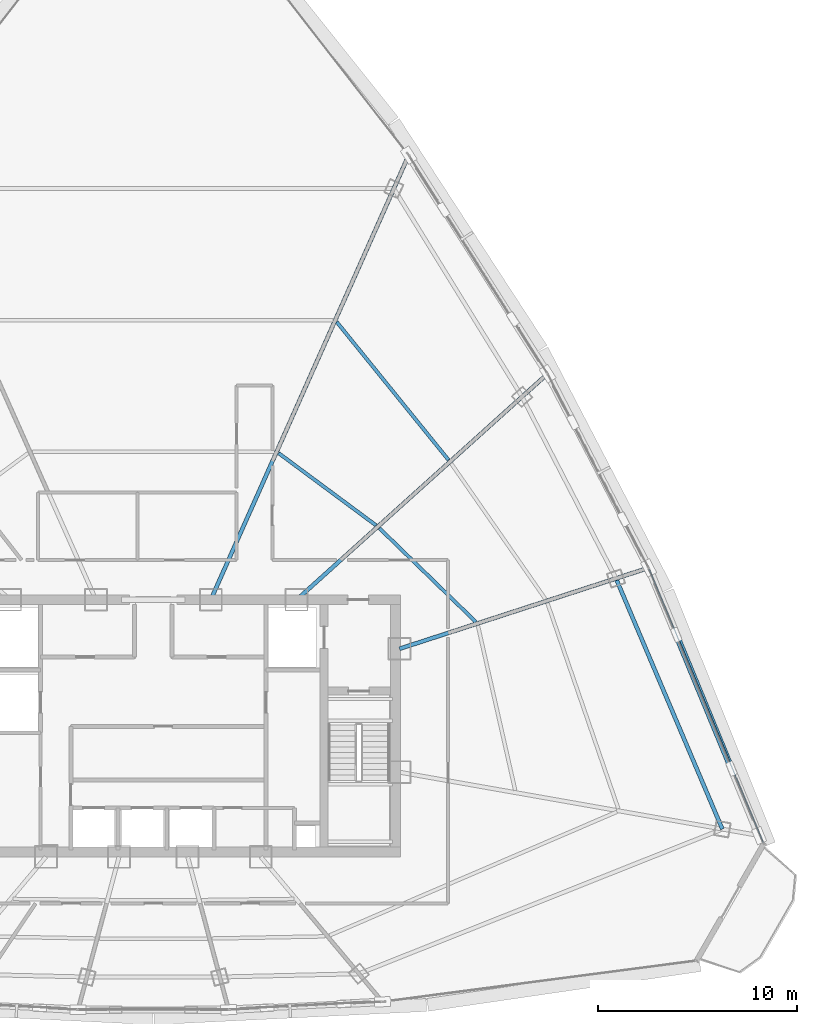
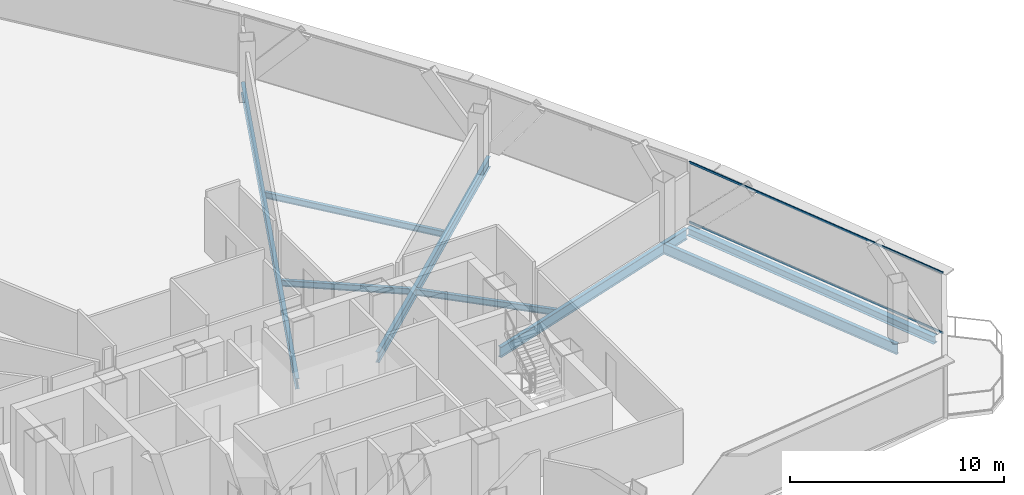
# One storey, part 16 of 35: 8 beams, 2 members, 1 element without a shape of its own.
"""IFC4 building model written with IfcOpenShell, lengths in metres."""

from ifc_helpers import new_model, si_unit, direction, frame, origin, origin_2d, place, context, subcontext, project, spatial, hollow_rectangle, i_section, extrude, source, transform, mapped, material, layer, layer_set, material_profile, profile_set, type_object, element, aggregate, save


model = new_model("IFC4")

# Units and contexts
model_context = context("Model", 3, precision=1e-05, world=origin(), true_north=direction((0.0, 1.0)))
body_context = subcontext(model_context, "Body", "Model", "MODEL_VIEW")
ifc_project = project(units=[si_unit("LENGTHUNIT", "METRE"), si_unit("AREAUNIT", "SQUARE_METRE"), si_unit("VOLUMEUNIT", "CUBIC_METRE"), si_unit("PLANEANGLEUNIT", "RADIAN"), si_unit("MASSUNIT", "GRAM", prefix="KILO"), si_unit("THERMODYNAMICTEMPERATUREUNIT", "KELVIN"), si_unit("POWERUNIT", "WATT")], contexts=[model_context])

# Site, building, storey
site_placement = place(None, origin())
site = spatial("IfcSite", under=ifc_project, at=site_placement, CompositionType="ELEMENT")
building_placement = place(site_placement, origin())
building = spatial("IfcBuilding", under=site, at=building_placement, Name="Yunzhuo Pagoda Commons", CompositionType="ELEMENT")
storey_placement = place(building_placement, frame((0.0, 0.0, 303.669921875)))
storey = spatial("IfcBuildingStorey", under=building, at=storey_placement, Name="L76", CompositionType="ELEMENT", Elevation=303.669921875)

# Beams
ifc_material_1 = material(Name="Structural steel Q355B", Category="steel")
ifc_material_profile_1 = material_profile(ifc_material_1, i_section(OverallWidth=0.199951171875, OverallDepth=0.60009765625, WebThickness=0.010986328125, FlangeThickness=0.01708984375, at=origin_2d()), Name="Structural steel Q355B")
ifc_profile_set_1 = profile_set([ifc_material_profile_1], Name="Structural steel Q355B")
beam_type_1 = type_object("IfcBeamType", Name="B-RG3 Beam HN 600x200x11x17", PredefinedType="BEAM", material=ifc_profile_set_1)
shared_shape_1 = source(origin(), body_context, "Body", "SweptSolid", [
    extrude(i_section(OverallWidth=0.199951171875, OverallDepth=0.60009765625, WebThickness=0.010986328125, FlangeThickness=0.01708984375, at=origin_2d()), origin(), (0.0, 0.0, 1.0), 13.715576171875),
])
beam_1_placement = place(storey_placement, frame((76.66162109375, 28.646240234375, -0.559814453125), z_axis=(-0.390733146992, 0.920503996646, 0.0), x_axis=(-0.920503996646, -0.390733146992, 0.0)))
element("IfcBeam", 1, at=beam_1_placement, inside=storey, type_object=beam_type_1, Name="L76 column-ring beam 5", PredefinedType="BEAM", context=body_context, shape_type="MappedRepresentation", body=[
    mapped(shared_shape_1, transform((0.0, 0.0, 0.0), scale=1.0)),
])
ifc_material_profile_2 = material_profile(ifc_material_1, i_section(OverallWidth=0.175048828125, OverallDepth=0.35009765625, WebThickness=0.007080078125, FlangeThickness=0.010986328125, at=origin_2d()), Name="Structural steel Q355B")
ifc_profile_set_2 = profile_set([ifc_material_profile_2], Name="Structural steel Q355B")
beam_type_2 = type_object("IfcBeamType", Name="B-JS2 Joist HN 350x175x7x11", PredefinedType="JOIST", material=ifc_profile_set_2)
shared_shape_2 = source(origin(), body_context, "Body", "SweptSolid", [
    extrude(i_section(OverallWidth=0.175048828125, OverallDepth=0.35009765625, WebThickness=0.007080078125, FlangeThickness=0.010986328125, at=origin_2d()), origin(), (0.0, 0.0, 1.0), 6.767333984375),
])
beam_2_placement = place(storey_placement, frame((64.242431640625, 39.08447265625, -0.434814453125), z_axis=(-0.717207253673, 0.696859925149, 0.0), x_axis=(-0.696859925149, -0.717207253673, 0.0)))
element("IfcBeam", 2, at=beam_2_placement, inside=storey, type_object=beam_type_2, Name="L76 composite ring joist 1.6", PredefinedType="JOIST", context=body_context, shape_type="MappedRepresentation", body=[
    mapped(shared_shape_2, transform((0.0, 0.0, 0.0), scale=1.0)),
])
shared_shape_3 = source(origin(), body_context, "Body", "SweptSolid", [
    extrude(i_section(OverallWidth=0.175048828125, OverallDepth=0.35009765625, WebThickness=0.007080078125, FlangeThickness=0.010986328125, at=origin_2d()), origin(), (0.0, 0.0, 1.0), 6.109619140625),
])
beam_3_placement = place(storey_placement, frame((59.214111328125, 43.948974609375, -0.434814453125), z_axis=(-0.803396474468, 0.595444459888, 0.0), x_axis=(-0.595444459888, -0.803396474468, 0.0)))
element("IfcBeam", 3, at=beam_3_placement, inside=storey, type_object=beam_type_2, Name="L76 composite ring joist 1.7", PredefinedType="JOIST", context=body_context, shape_type="MappedRepresentation", body=[
    mapped(shared_shape_3, transform((0.0, 0.0, 0.0), scale=1.0)),
])
shared_shape_4 = source(origin(), body_context, "Body", "SweptSolid", [
    extrude(i_section(OverallWidth=0.175048828125, OverallDepth=0.35009765625, WebThickness=0.007080078125, FlangeThickness=0.010986328125, at=origin_2d()), origin(), (0.0, 0.0, 1.0), 8.9462890625),
])
beam_4_placement = place(storey_placement, frame((62.867431640625, 47.2412109375, -0.434814453125), z_axis=(-0.629455685791, 0.777036382434, 0.0), x_axis=(-0.777036382434, -0.629455685791, 0.0)))
element("IfcBeam", 4, at=beam_4_placement, inside=storey, type_object=beam_type_2, Name="L76 composite ring joist 2.7", PredefinedType="JOIST", context=body_context, shape_type="MappedRepresentation", body=[
    mapped(shared_shape_4, transform((0.0, 0.0, 0.0), scale=1.0)),
])
shared_shape_5 = source(origin(), body_context, "Body", "SweptSolid", [
    extrude(i_section(OverallWidth=0.199951171875, OverallDepth=0.60009765625, WebThickness=0.010986328125, FlangeThickness=0.01708984375, at=origin_2d()), origin(), (0.0, 0.0, 1.0), 13.040771484375),
])
beam_5_placement = place(storey_placement, frame((72.802490234375, 41.7587890625, -0.559814453125), z_axis=(-0.951057866972, -0.30901283739, 0.0), x_axis=(0.30901283739, -0.951057866972, 0.0)))
element("IfcBeam", 5, at=beam_5_placement, inside=storey, type_object=beam_type_1, Name="L76 radial floor girder F2C2", PredefinedType="BEAM", context=body_context, shape_type="MappedRepresentation", body=[
    mapped(shared_shape_5, transform((0.0, 0.0, 0.0), scale=1.0)),
])
shared_shape_6 = source(origin(), body_context, "Body", "SweptSolid", [
    extrude(i_section(OverallWidth=0.199951171875, OverallDepth=0.60009765625, WebThickness=0.010986328125, FlangeThickness=0.01708984375, at=origin_2d()), origin(), (0.0, 0.0, 1.0), 16.859619140625),
])
beam_6_placement = place(storey_placement, frame((67.748046875, 51.481201171875, -0.559814453125), z_axis=(-0.743143638424, -0.669131924712, 0.0), x_axis=(0.669131924712, -0.743143638424, 0.0)))
element("IfcBeam", 6, at=beam_6_placement, inside=storey, type_object=beam_type_1, Name="L76 radial floor girder F2C3", PredefinedType="BEAM", context=body_context, shape_type="MappedRepresentation", body=[
    mapped(shared_shape_6, transform((0.0, 0.0, 0.0), scale=1.0)),
])
shared_shape_7 = source(origin(), body_context, "Body", "SweptSolid", [
    extrude(i_section(OverallWidth=0.199951171875, OverallDepth=0.60009765625, WebThickness=0.010986328125, FlangeThickness=0.01708984375, at=origin_2d()), origin(), (0.0, 0.0, 1.0), 24.3583984375),
])
beam_7_placement = place(storey_placement, frame((60.801513671875, 62.452392578125, -0.559814453125), z_axis=(-0.406738200999, -0.913544764009, 0.0), x_axis=(0.913544764009, -0.406738200999, 0.0)))
element("IfcBeam", 7, at=beam_7_placement, inside=storey, type_object=beam_type_1, Name="L76 radial floor girder F2C4", PredefinedType="BEAM", context=body_context, shape_type="MappedRepresentation", body=[
    mapped(shared_shape_7, transform((0.0, 0.0, 0.0), scale=1.0)),
])
ifc_material_profile_3 = material_profile(ifc_material_1, i_section(OverallWidth=0.300048828125, OverallDepth=0.43994140625, WebThickness=0.010986328125, FlangeThickness=0.01806640625, at=origin_2d()), Name="Structural steel Q355B")
ifc_profile_set_3 = profile_set([ifc_material_profile_3], Name="Structural steel Q355B")
beam_type_3 = type_object("IfcBeamType", Name="B-SP2 Beam HM 440x300x11x18", PredefinedType="BEAM", material=ifc_profile_set_3)
shared_shape_8 = source(origin(), body_context, "Body", "SweptSolid", [
    extrude(i_section(OverallWidth=0.300048828125, OverallDepth=0.43994140625, WebThickness=0.010986328125, FlangeThickness=0.01806640625, at=origin_2d()), origin(), (0.0, 0.0, 1.0), 14.589599609375),
])
beam_8_placement = place(storey_placement, frame((78.513916015625, 28.319580078125, -0.47998046875), z_axis=(-0.381363277561, 0.92442525416, 0.0), x_axis=(-0.92442525416, -0.381363277561, 0.0)))
element("IfcBeam", 8, at=beam_8_placement, inside=storey, type_object=beam_type_3, Name="L76 facade edge spandrel beam F2.1", PredefinedType="BEAM", context=body_context, shape_type="MappedRepresentation", body=[
    mapped(shared_shape_8, transform((0.0, 0.0, 0.0), scale=1.0)),
])

# Curtain wall, members
ifc_material_2 = material(Name="Anodized aluminium 6063-T6", Category="aluminium")
ifc_layer = layer(ifc_material_2, 0.139892578125)
ifc_layer_set = layer_set([ifc_layer], Name="Anodized aluminium 6063-T6")
curtain_wall_type = type_object("IfcCurtainWallType", Name="CW-HI High-Zone Ribbon Curtain Wall", PredefinedType="NOTDEFINED", material=ifc_layer_set)
curtain_wall_placement = place(storey_placement, origin())
curtain_wall = element("IfcCurtainWall", 9, at=curtain_wall_placement, inside=storey, type_object=curtain_wall_type, Name="L76 curtain wall CW-L76-F2B2", PredefinedType="NOTDEFINED")
ifc_material_profile_4 = material_profile(ifc_material_2, hollow_rectangle(XDim=0.054931640625, YDim=0.1201171875, WallThickness=0.00341796875, at=origin_2d()), Name="Anodized aluminium 6063-T6")
ifc_profile_set_4 = profile_set([ifc_material_profile_4], Name="Anodized aluminium 6063-T6")
member_type = type_object("IfcMemberType", Name="CW-HI-T Transom RHS 120x55x3.5", PredefinedType="USERDEFINED", material=ifc_profile_set_4)
shared_shape_9 = source(origin(), body_context, "Body", "SweptSolid", [
    extrude(hollow_rectangle(XDim=0.054931640625, YDim=0.1201171875, WallThickness=0.00341796875, at=origin_2d()), origin(), (0.0, 0.0, 1.0), 14.939208984375),
])
member_1_placement = place(storey_placement, frame((78.72607421875, 27.964111328125, 0.027587890625), z_axis=(-0.38507485684, 0.922885342082, 0.0), x_axis=(-0.922885342082, -0.38507485684, 0.0)))
member_1 = element("IfcMember", 10, at=member_1_placement, type_object=member_type, Name="CW transom 1.1", ObjectType="TRANSOM", PredefinedType="USERDEFINED", context=body_context, shape_type="MappedRepresentation", body=[
    mapped(shared_shape_9, transform((0.0, 0.0, 0.0), scale=1.0)),
])
member_2_placement = place(storey_placement, frame((78.72607421875, 27.964111328125, 3.442626953125), z_axis=(-0.38507485684, 0.922885342082, 0.0), x_axis=(-0.922885342082, -0.38507485684, 0.0)))
member_2 = element("IfcMember", 11, at=member_2_placement, type_object=member_type, Name="CW transom 1.2", ObjectType="TRANSOM", PredefinedType="USERDEFINED", context=body_context, shape_type="MappedRepresentation", body=[
    mapped(shared_shape_9, transform((0.0, 0.0, 0.0), scale=1.0)),
])
aggregate(curtain_wall, [member_1, member_2])

save(model, "model.ifc")
